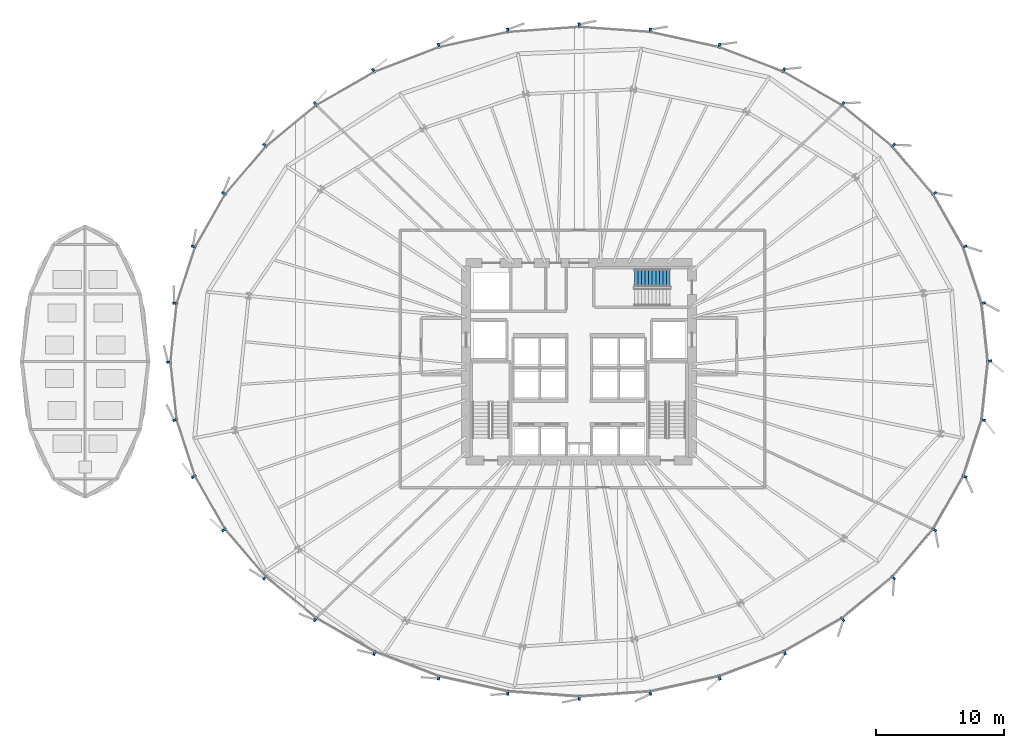
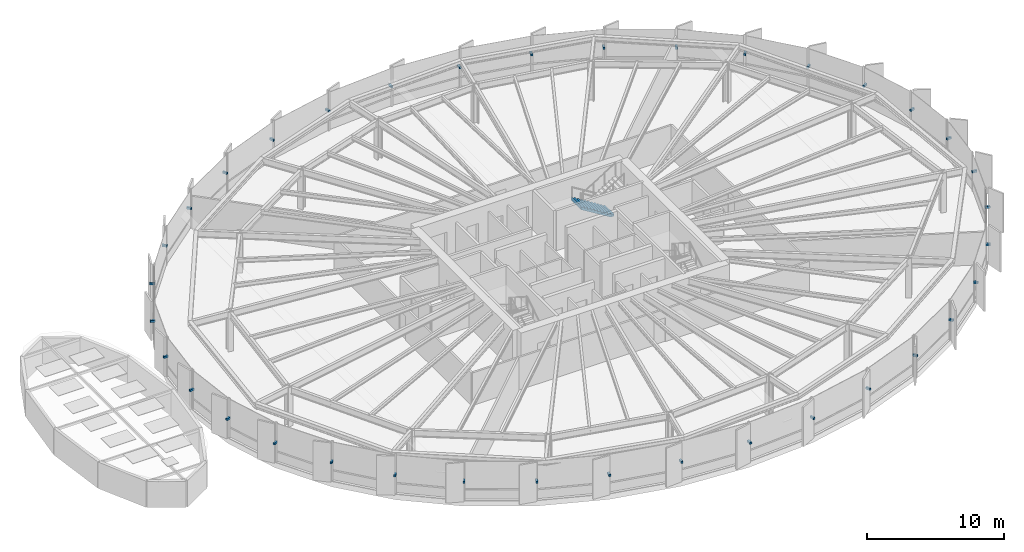
# One storey, part 31 of 38: 36 discrete accessories, 1 stair flight, 1 element without a shape of its own.
"""IFC4 building model written with IfcOpenShell, lengths in metres."""

from ifc_helpers import new_model, si_unit, direction, frame, origin, origin_2d, place, context, subcontext, project, spatial, polyline, rectangle, outline, extrude, source, transform, mapped, material, type_object, element, aggregate, save


model = new_model("IFC4")

# Units and contexts
model_context = context("Model", 3, precision=1e-05, world=origin(), true_north=direction((0.0, 1.0)))
body_context = subcontext(model_context, "Body", "Model", "MODEL_VIEW")
ifc_project = project(units=[si_unit("LENGTHUNIT", "METRE"), si_unit("AREAUNIT", "SQUARE_METRE"), si_unit("VOLUMEUNIT", "CUBIC_METRE"), si_unit("PLANEANGLEUNIT", "RADIAN"), si_unit("MASSUNIT", "GRAM", prefix="KILO"), si_unit("THERMODYNAMICTEMPERATUREUNIT", "KELVIN")], contexts=[model_context])

# Site, building, storey
site_placement = place(None, origin())
site = spatial("IfcSite", under=ifc_project, at=site_placement, CompositionType="ELEMENT")
building_placement = place(site_placement, origin())
building = spatial("IfcBuilding", under=site, at=building_placement, Name="Kethvar Cultural Tower", CompositionType="ELEMENT")
storey_placement = place(building_placement, frame((0.0, 0.0, 29.60009765625)))
storey = spatial("IfcBuildingStorey", under=building, at=storey_placement, Name="L06", CompositionType="ELEMENT", Elevation=29.60009765625)

# Stair, stair flight
ifc_material_1 = material(Name="Concrete C40/50", Category="concrete")
stair_type = type_object("IfcStairType", Name="ST-DOGLEG-135", PredefinedType="HALF_TURN_STAIR", material=ifc_material_1)
stair_placement = place(storey_placement, origin())
stair = element("IfcStair", 1, at=stair_placement, inside=storey, type_object=stair_type, Name="L06 Core Exit Stair 3", PredefinedType="HALF_TURN_STAIR")
stair_flight_type = type_object("IfcStairFlightType", Name="FL-STRAIGHT-135", PredefinedType="STRAIGHT", material=ifc_material_1)
stair_flight_placement = place(storey_placement, frame((53.89990234375, 34.3349609375, 0.0), z_axis=(0.0, 0.0, 1.0), x_axis=(-1.0, 0.0, 0.0)))
stair_flight = element("IfcStairFlight", 2, at=stair_flight_placement, type_object=stair_flight_type, Name="ST-03 flight 1", NumberOfRisers=11, NumberOfTreads=10, PredefinedType="STRAIGHT", RiserHeight=0.172727273, TreadLength=0.28, context=body_context, shape_type="SweptSolid", body=[
    extrude(outline(polyline([(-0.0009765625, -0.0009765625), (-0.0009765625, 0.172607421875), (0.280029296875, 0.172607421875), (0.280029296875, 0.345458984375), (0.56005859375, 0.345458984375), (0.56005859375, 0.51806640625), (0.840087890625, 0.51806640625), (0.840087890625, 0.69091796875), (1.1201171875, 0.69091796875), (1.1201171875, 0.863525390625), (1.39990234375, 0.863525390625), (1.39990234375, 1.036376953125), (1.679931640625, 1.036376953125), (1.679931640625, 1.208984375), (1.9599609375, 1.208984375), (1.9599609375, 1.3818359375), (2.239990234375, 1.3818359375), (2.239990234375, 1.554443359375), (2.52001953125, 1.554443359375), (2.52001953125, 1.727294921875), (2.800048828125, 1.727294921875), (2.800048828125, 1.89990234375), (2.801025390625, 1.89990234375), (2.801025390625, 1.551025390625), (0.285400390625, 0.0), (0.0, -0.0009765625), (-0.0009765625, -0.0009765625)])), frame((0.0, 0.675048828125, 0.0), z_axis=(0.0, -1.0, 0.0), x_axis=(1.0, 0.0, 0.0)), (0.0, 0.0, 1.0), 1.35009765625),
])
aggregate(stair, [stair_flight])

# Discrete accessories
ifc_material_2 = material(Name="Steel S355J2", Category="steel")
discrete_accessory_type = type_object("IfcDiscreteAccessoryType", Name="Steel Fin Bracket BRK-01", PredefinedType="BRACKET", material=ifc_material_2)
shared_shape = source(origin(), body_context, "Body", "SweptSolid", [
    extrude(rectangle(XDim=0.3798828125, YDim=0.159912109375, at=origin_2d()), origin(), (0.0, 0.0, 1.0), 0.179931640625),
])
for number, where, z_axis, x_axis, name in (
    (3, (78.765380859375, 27.843017578125, 1.68505859375), (0.0, 0.0, 1.0), (0.994356475568, 0.106090525009, 0.0), "L06 Terracotta Fin Bracket 1.1"),
    (4, (78.283935546875, 32.352783203125, 1.68505859375), (0.0, 0.0, 1.0), (0.950515731628, 0.310676429631, 0.0), "L06 Terracotta Fin Bracket 1.2"),
    (5, (76.84130859375, 36.765869140625, 1.68505859375), (0.0, 0.0, 1.0), (0.869236182972, 0.494397065335, 0.0), "L06 Terracotta Fin Bracket 1.3"),
    (6, (74.48583984375, 40.906494140625, 1.68505859375), (0.0, 0.0, 1.0), (0.7604059656, 0.64944804833, 0.0), "L06 Terracotta Fin Bracket 1.4"),
    (7, (71.2890625, 44.648681640625, 1.68505859375), (0.0, 0.0, 1.0), (0.633920960614, 0.773397837916, 0.0), "L06 Terracotta Fin Bracket 1.5"),
    (8, (67.348388671875, 47.87890625, 1.68505859375), (0.0, 0.0, 1.0), (0.497882410223, 0.867244547743, 0.0), "L06 Terracotta Fin Bracket 1.6"),
    (9, (62.744140625, 50.514404296875, 1.68505859375), (0.0, 0.0, 1.0), (0.357064076459, 0.934079892355, 0.0), "L06 Terracotta Fin Bracket 2.1"),
    (10, (57.733154296875, 52.4296875, 1.68505859375), (0.0, 0.0, 1.0), (0.214564862428, 0.976709741843, 0.0), "L06 Terracotta Fin Bracket 2.2"),
    (11, (52.3505859375, 53.612060546875, 1.68505859375), (0.0, 0.0, 1.0), (0.071497444333, 0.997440782931, 0.0), "L06 Terracotta Fin Bracket 2.3"),
    (12, (46.79931640625, 54.010009765625, 1.68505859375), (0.0, 0.0, 1.0), (-0.071497444333, 0.997440782931, 0.0), "L06 Terracotta Fin Bracket 2.4"),
    (13, (41.248046875, 53.61181640625, 1.68505859375), (0.0, 0.0, 1.0), (-0.214564862428, 0.976709741843, 0.0), "L06 Terracotta Fin Bracket 2.5"),
    (14, (35.865478515625, 52.42919921875, 1.68505859375), (0.0, 0.0, 1.0), (-0.357064076459, 0.934079892355, 0.0), "L06 Terracotta Fin Bracket 2.6"),
    (15, (30.7783203125, 50.4775390625, 1.68505859375), (0.0, 0.0, 1.0), (-0.497882410223, 0.867244547743, 0.0), "L06 Terracotta Fin Bracket 3.1"),
    (16, (26.250244140625, 47.878173828125, 1.68505859375), (0.0, 0.0, 1.0), (-0.633920960614, 0.773397837916, 0.0), "L06 Terracotta Fin Bracket 3.2"),
    (17, (22.3095703125, 44.6474609375, 1.68505859375), (0.0, 0.0, 1.0), (-0.7604059656, 0.64944804833, 0.0), "L06 Terracotta Fin Bracket 3.3"),
    (18, (19.113037109375, 40.905029296875, 1.68505859375), (0.0, 0.0, 1.0), (-0.869236182972, 0.494397065335, 0.0), "L06 Terracotta Fin Bracket 3.4"),
    (19, (16.7578125, 36.763916015625, 1.68505859375), (0.0, 0.0, 1.0), (-0.950515731628, 0.310676429631, 0.0), "L06 Terracotta Fin Bracket 3.5"),
    (20, (15.3154296875, 32.3505859375, 1.68505859375), (0.0, 0.0, 1.0), (-0.994356475568, 0.106090525009, 0.0), "L06 Terracotta Fin Bracket 3.6"),
    (21, (14.83447265625, 27.7568359375, 1.68505859375), (0.0, 0.0, 1.0), (-0.994356475568, -0.106090525009, 0.0), "L06 Terracotta Fin Bracket 4.1"),
    (22, (15.31591796875, 23.247314453125, 1.68505859375), (0.0, 0.0, 1.0), (-0.950515731628, -0.310676429631, 0.0), "L06 Terracotta Fin Bracket 4.2"),
    (23, (16.7587890625, 18.833984375, 1.68505859375), (0.0, 0.0, 1.0), (-0.869236182972, -0.494397065335, 0.0), "L06 Terracotta Fin Bracket 4.3"),
    (24, (19.1142578125, 14.693603515625, 1.68505859375), (0.0, 0.0, 1.0), (-0.7604059656, -0.64944804833, 0.0), "L06 Terracotta Fin Bracket 4.4"),
    (25, (22.310791015625, 10.951416015625, 1.68505859375), (0.0, 0.0, 1.0), (-0.633920960614, -0.773397837916, 0.0), "L06 Terracotta Fin Bracket 4.5"),
    (26, (26.25146484375, 7.720947265625, 1.68505859375), (0.0, 0.0, 1.0), (-0.497882410223, -0.867244547743, 0.0), "L06 Terracotta Fin Bracket 4.6"),
    (27, (30.85595703125, 5.085693359375, 1.68505859375), (0.0, 0.0, 1.0), (-0.357064076459, -0.934079892355, 0.0), "L06 Terracotta Fin Bracket 5.1"),
    (28, (35.86669921875, 3.17041015625, 1.68505859375), (0.0, 0.0, 1.0), (-0.214564862428, -0.976709741843, 0.0), "L06 Terracotta Fin Bracket 5.2"),
    (29, (41.24951171875, 1.988037109375, 1.68505859375), (0.0, 0.0, 1.0), (-0.071497444333, -0.997440782931, 0.0), "L06 Terracotta Fin Bracket 5.3"),
    (30, (46.80078125, 1.590087890625, 1.68505859375), (0.0, 0.0, 1.0), (0.071497444333, -0.997440782931, 0.0), "L06 Terracotta Fin Bracket 5.4"),
    (31, (52.35205078125, 1.98828125, 1.68505859375), (0.0, 0.0, 1.0), (0.214564862428, -0.976709741843, 0.0), "L06 Terracotta Fin Bracket 5.5"),
    (32, (57.734619140625, 3.1708984375, 1.68505859375), (0.0, 0.0, 1.0), (0.357064076459, -0.934079892355, 0.0), "L06 Terracotta Fin Bracket 5.6"),
    (33, (62.821533203125, 5.12255859375, 1.68505859375), (0.0, 0.0, 1.0), (0.497882410223, -0.867244547743, 0.0), "L06 Terracotta Fin Bracket 6.1"),
    (34, (67.349853515625, 7.721923828125, 1.68505859375), (0.0, 0.0, 1.0), (0.633920960614, -0.773397837916, 0.0), "L06 Terracotta Fin Bracket 6.2"),
    (35, (71.290283203125, 10.952392578125, 1.68505859375), (0.0, 0.0, 1.0), (0.7604059656, -0.64944804833, 0.0), "L06 Terracotta Fin Bracket 6.3"),
    (36, (74.48681640625, 14.695068359375, 1.68505859375), (0.0, 0.0, 1.0), (0.869236182972, -0.494397065335, 0.0), "L06 Terracotta Fin Bracket 6.4"),
    (37, (76.842041015625, 18.8359375, 1.68505859375), (0.0, 0.0, 1.0), (0.950515731628, -0.310676429631, 0.0), "L06 Terracotta Fin Bracket 6.5"),
    (38, (78.284423828125, 23.249267578125, 1.68505859375), (0.0, 0.0, 1.0), (0.994356475568, -0.106090525009, 0.0), "L06 Terracotta Fin Bracket 6.6"),
):
    element("IfcDiscreteAccessory", number, at=place(storey_placement, frame(where, z_axis=z_axis, x_axis=x_axis)), inside=storey, type_object=discrete_accessory_type, Name=name, PredefinedType="BRACKET", context=body_context, shape_type="MappedRepresentation", body=[
        mapped(shared_shape, transform((0.0, 0.0, 0.0), scale=1.0)),
    ])

save(model, "model.ifc")
